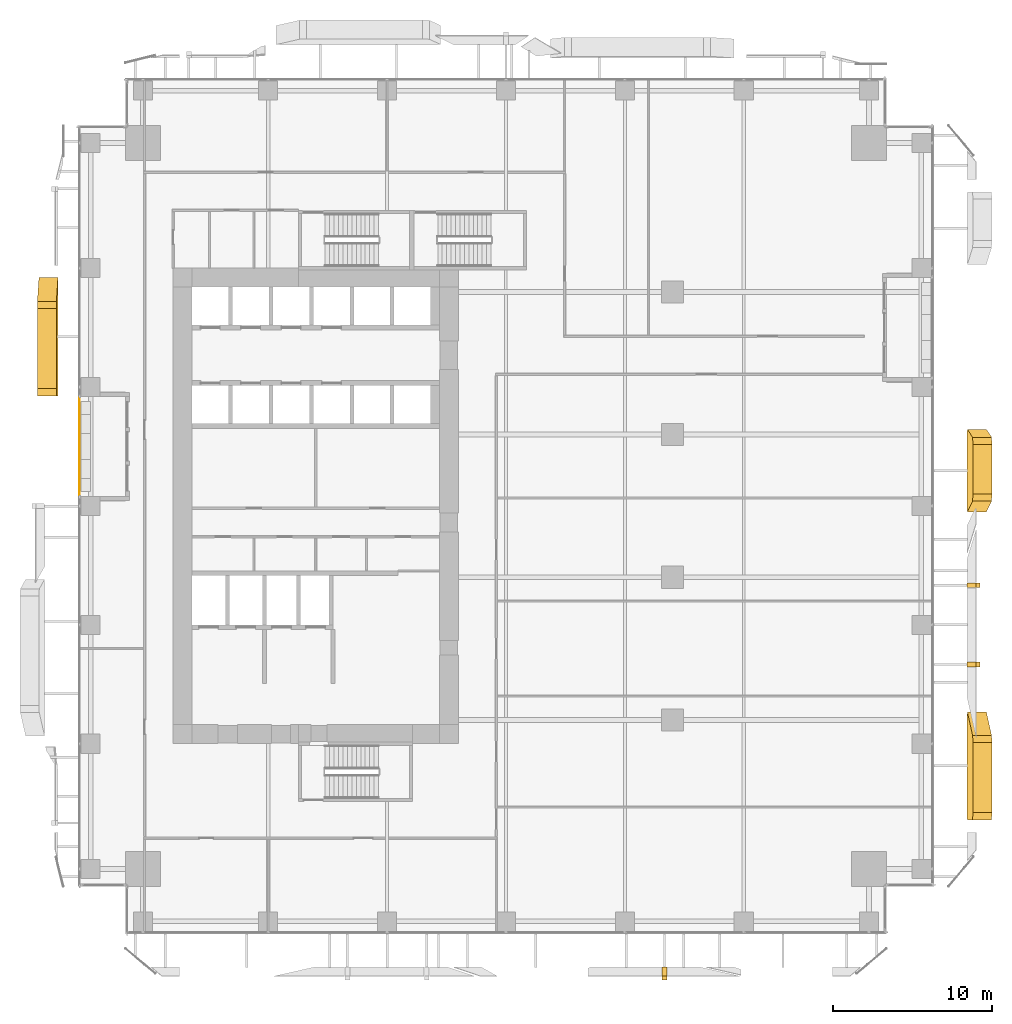
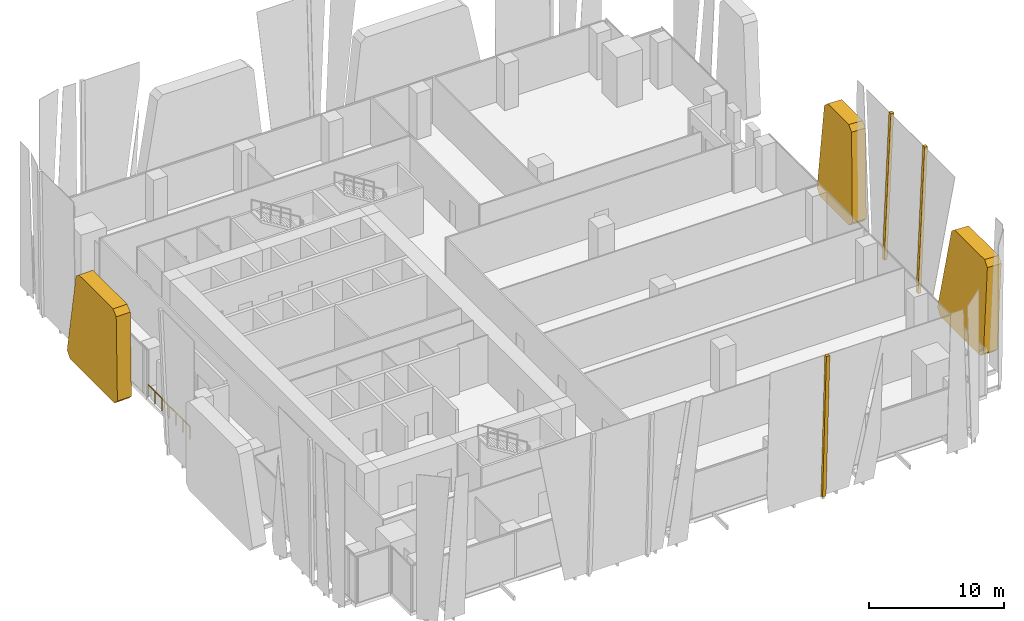
# One storey, part 34 of 37: 6 coverings, 1 railing.
"""IFC4 building model written with IfcOpenShell, lengths in metres."""

from ifc_helpers import new_model, si_unit, direction, frame, origin, origin_2d, place, context, subcontext, project, spatial, polyline, circle, outline, extrude, source, transform, mapped, material, layer, layer_set, type_object, element, save


model = new_model("IFC4")

# Units and contexts
model_context = context("Model", 3, precision=1e-05, world=origin(), true_north=direction((0.0, 1.0)))
body_context = subcontext(model_context, "Body", "Model", "MODEL_VIEW")
ifc_project = project(units=[si_unit("LENGTHUNIT", "METRE"), si_unit("AREAUNIT", "SQUARE_METRE"), si_unit("VOLUMEUNIT", "CUBIC_METRE"), si_unit("PLANEANGLEUNIT", "RADIAN"), si_unit("MASSUNIT", "GRAM", prefix="KILO")], contexts=[model_context])

# Site, building, storey
site_placement = place(None, origin())
site = spatial("IfcSite", under=ifc_project, at=site_placement, CompositionType="ELEMENT")
building_placement = place(site_placement, origin())
building = spatial("IfcBuilding", under=site, at=building_placement, Name="Khomas Fold Tower", CompositionType="ELEMENT")
storey_placement = place(building_placement, frame((0.0, 0.0, 60.0)))
storey = spatial("IfcBuildingStorey", under=building, at=storey_placement, Name="L12", CompositionType="ELEMENT", Elevation=60.0)

# Coverings
ifc_material_1 = material(Name="Natural stone cladding", Category="masonry")
ifc_layer_1 = layer(ifc_material_1, 0.25)
ifc_layer_set_1 = layer_set([ifc_layer_1], Name="Natural stone cladding")
covering_type_1 = type_object("IfcCoveringType", Name="SK-Karibib marble stone mullion", PredefinedType="CLADDING", material=ifc_layer_set_1)
for number, where, z_axis, x_axis, name in (
    (1, (36.85009765625, -2.08251953125, 0.0), (0.0, 0.99904235518, 0.043753543365), (0.0, -0.043753543365, 0.99904235518), "OUTER SKIN mullion L12 SM105-11"),
    (2, (56.08251953125, 16.85009765625, 0.0), (-0.99904235518, 0.0, 0.043753543365), (0.043753543365, 0.0, 0.99904235518), "OUTER SKIN mullion L12 EM101-5"),
    (3, (56.08251953125, 21.85009765625, 0.0), (-0.99904235518, 0.0, 0.043753543365), (0.043753543365, 0.0, 0.99904235518), "OUTER SKIN mullion L12 EM102-7"),
):
    element("IfcCovering", number, at=place(storey_placement, frame(where, z_axis=z_axis, x_axis=x_axis)), inside=storey, type_object=covering_type_1, Name=name, PredefinedType="CLADDING", context=body_context, shape_type="SweptSolid", body=[
        extrude(outline(polyline([(0.0, 0.0), (13.062558119247587, 0.0), (13.062558119247587, 0.2998046875), (0.0, 0.2998046875), (0.0, 0.0)])), origin(), (0.0, 0.0, -1.0), 0.25),
    ])
ifc_material_2 = material(Name="Natural stone cladding", Category="masonry")
ifc_layer_2 = layer(ifc_material_2, 1.199951171875)
ifc_layer_set_2 = layer_set([ifc_layer_2], Name="Natural stone cladding")
covering_type_2 = type_object("IfcCoveringType", Name="SK-Karibib marble stone panel", PredefinedType="CLADDING", material=ifc_layer_set_2)
covering_1_placement = place(storey_placement, frame((56.44091796875, 12.511474609375, 8.1865234375), z_axis=(-0.999042264765, -1.9283008e-05, 0.043755603536), x_axis=(-0.042945290328, 0.191992477245, -0.980456317599)))
element("IfcCovering", 4, at=covering_1_placement, inside=storey, type_object=covering_type_2, Name="OUTER SKIN leaf L12 ES03-1", PredefinedType="CLADDING", context=body_context, shape_type="SweptSolid", body=[
    extrude(outline(polyline([(0.0, 0.0), (7.802633176433812, 2.220446049250313e-16), (8.244740326409387, 0.5365127077900653), (7.108534845836982, 6.344385917397114), (6.580140876741625, 6.699495745555447), (-0.9348785691314494, 5.22931793969122), (-1.2904980579714482, 4.7012668499200325), (-0.4418594347963909, 0.36333184744744196), (0.0, 0.0)])), origin(), (0.0, 0.0, -1.0), 1.199951171875),
])
covering_2_placement = place(storey_placement, frame((56.4384765625, 31.330322265625, 8.129638671875), z_axis=(-0.999042218422, -3.66516e-07, 0.043756665892), x_axis=(-0.043662436873, 0.06560041285, -0.996890253458)))
element("IfcCovering", 5, at=covering_2_placement, inside=storey, type_object=covering_type_2, Name="OUTER SKIN leaf L12 ES06-2", PredefinedType="CLADDING", context=body_context, shape_type="SweptSolid", body=[
    extrude(outline(polyline([(0.0, 0.0), (7.674006105176598, -1.1102230246251565e-16), (8.123454998662835, 0.4797361475837714), (7.839832510587337, 4.7939095694270755), (7.320292944696627, 5.2089637848959), (-0.27484858115058525, 4.013075029070055), (-0.6543831557077148, 3.5389138608792523), (-0.4493658498262735, 0.4204015805124264), (0.0, 0.0)])), origin(), (0.0, 0.0, -1.0), 1.199951171875),
])
covering_3_placement = place(storey_placement, frame((-1.2607421875, 33.949951171875, 0.449951171875), z_axis=(0.999913410197, -5.458495e-06, 0.013159486234), x_axis=(-0.013159486234, 2.42e-10, 0.999913410212)))
element("IfcCovering", 6, at=covering_3_placement, inside=storey, type_object=covering_type_2, Name="OUTER SKIN leaf L12 WS08-2", PredefinedType="CLADDING", context=body_context, shape_type="SweptSolid", body=[
    extrude(outline(polyline([(0.0, 0.0), (7.650804506308437, 0.0), (8.10079703624555, -0.4499511707668103), (8.10079703746833, -5.507324217566467), (7.737238869232695, -5.948974608810901), (0.08643115052120479, -7.4467773444961125), (-0.44999252813461194, -7.005126954122127), (-0.44999252971953313, -0.4499511729697834), (0.0, 0.0)])), origin(), (0.0, 0.0, -1.0), 1.199951171875),
])

# Railing
ifc_material_3 = material(Name="Powder-coated steel", Category="steel")
railing_type = type_object("IfcRailingType", Name="Balcony guard", PredefinedType="GUARDRAIL", material=ifc_material_3)
shared_shape = source(origin(), body_context, "Body", "SweptSolid", [
    extrude(circle(Radius=0.02490234375, at=origin_2d()), frame((0.0, 0.0, 1.125), z_axis=(0.0, 1.0, 0.0), x_axis=(-1.0, 0.0, 0.0)), (0.0, 0.0, 1.0), 6.240234375),
    extrude(circle(Radius=0.02001953125, at=origin_2d()), origin(), (0.0, 0.0, 1.0), 1.099853515625),
    extrude(circle(Radius=0.02001953125, at=origin_2d()), frame((0.0, 1.0400390625, 0.0)), (0.0, 0.0, 1.0), 1.099853515625),
    extrude(circle(Radius=0.02001953125, at=origin_2d()), frame((0.0, 2.080078125, 0.0)), (0.0, 0.0, 1.0), 1.099853515625),
    extrude(circle(Radius=0.02001953125, at=origin_2d()), frame((0.0, 3.1201171875, 0.0)), (0.0, 0.0, 1.0), 1.099853515625),
    extrude(circle(Radius=0.02001953125, at=origin_2d()), frame((0.0, 4.16015625, 0.0)), (0.0, 0.0, 1.0), 1.099853515625),
    extrude(circle(Radius=0.02001953125, at=origin_2d()), frame((0.0, 5.2001953125, 0.0)), (0.0, 0.0, 1.0), 1.099853515625),
    extrude(circle(Radius=0.02001953125, at=origin_2d()), frame((0.0, 6.240234375, 0.0)), (0.0, 0.0, 1.0), 1.099853515625),
])
railing_placement = place(storey_placement, frame((0.10009765625, 27.6298828125, -0.044921875)))
element("IfcRailing", 7, at=railing_placement, inside=storey, type_object=railing_type, Name="Balcony guard BAL-L12-W3", PredefinedType="GUARDRAIL", context=body_context, shape_type="MappedRepresentation", body=[
    mapped(shared_shape, transform((0.0, 0.0, 0.0))),
])

save(model, "model.ifc")
